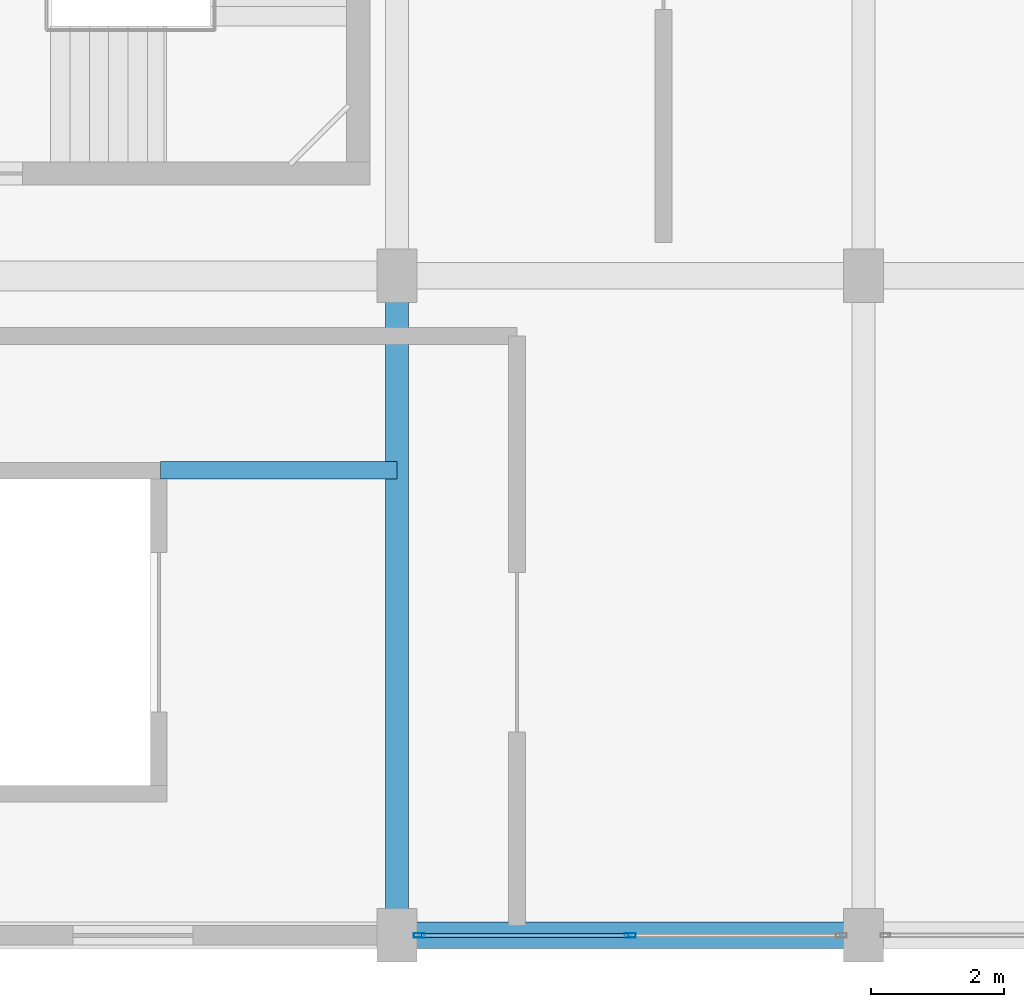
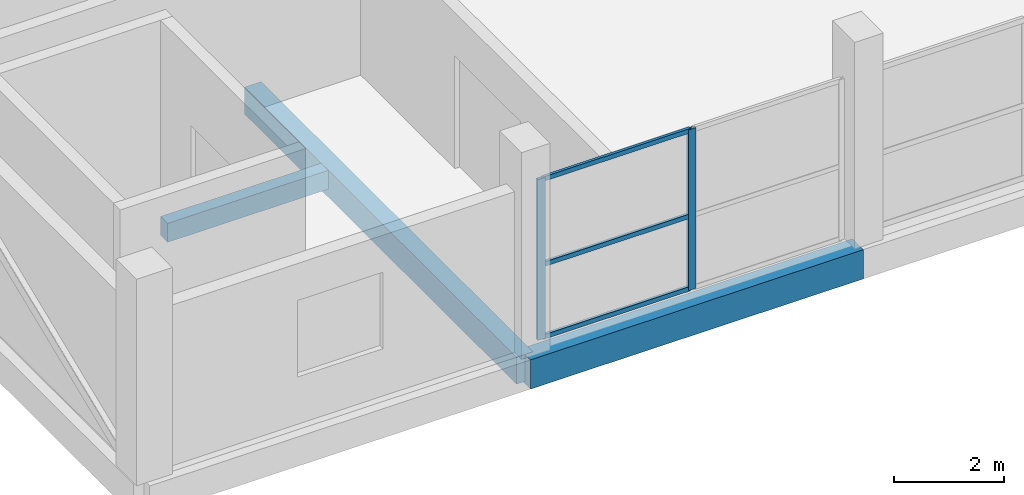
# One storey, part 2 of 49: 5 members, 3 beams, 1 element without a shape of its own.
"""IFC4 building model written with IfcOpenShell, lengths in metres."""

from ifc_helpers import new_model, si_unit, direction, frame, origin, origin_2d, place, context, subcontext, project, spatial, rectangle, hollow_rectangle, extrude, material, layer, layer_set, material_profile, profile_set, type_object, element, aggregate, save


model = new_model("IFC4")

# Units and contexts
model_context = context("Model", 3, precision=1e-05, world=origin(), true_north=direction((0.0, 1.0)))
body_context = subcontext(model_context, "Body", "Model", "MODEL_VIEW")
ifc_project = project(units=[si_unit("LENGTHUNIT", "METRE"), si_unit("AREAUNIT", "SQUARE_METRE"), si_unit("VOLUMEUNIT", "CUBIC_METRE"), si_unit("PLANEANGLEUNIT", "RADIAN"), si_unit("MASSUNIT", "GRAM", prefix="KILO")], contexts=[model_context])

# Site, building, storey
site_placement = place(None, origin())
site = spatial("IfcSite", under=ifc_project, at=site_placement, CompositionType="ELEMENT")
building_placement = place(site_placement, origin())
building = spatial("IfcBuilding", under=site, at=building_placement, Name="Sillaruma Civic Art Gallery", CompositionType="ELEMENT")
storey_placement = place(building_placement, frame((0.0, 0.0, 33.14990234375)))
storey = spatial("IfcBuildingStorey", under=building, at=storey_placement, Name="L06", CompositionType="ELEMENT", Elevation=33.14990234375)

# Beams
ifc_material_1 = material(Name="Concrete H35 (35 MPa)", Category="concrete")
ifc_material_profile_1 = material_profile(ifc_material_1, rectangle(XDim=0.35009765625, YDim=0.60009765625, at=origin_2d()), Name="RCB350x600")
ifc_profile_set_1 = profile_set([ifc_material_profile_1], Name="Concrete H35 (35 MPa)")
beam_type_1 = type_object("IfcBeamType", Name="BM-BEAM-RCB350x600", PredefinedType="BEAM", material=ifc_profile_set_1)
beam_1_placement = place(storey_placement, frame((70.0, 19.800048828125, -0.539794921875), z_axis=(0.0, 1.0, 0.0), x_axis=(-1.0, 0.0, 0.0)))
element("IfcBeam", 1, at=beam_1_placement, inside=storey, type_object=beam_type_1, Name="Beam BM-06 (L05:G:3-4)", PredefinedType="BEAM", context=body_context, shape_type="SweptSolid", body=[
    extrude(rectangle(XDim=0.35009765625, YDim=0.60009765625, at=origin_2d()), origin(), (0.0, 0.0, 1.0), 9.89990234375),
])
ifc_material_profile_2 = material_profile(ifc_material_1, rectangle(XDim=0.260009765625, YDim=0.419921875, at=origin_2d()), Name="RCB260x420")
ifc_profile_set_2 = profile_set([ifc_material_profile_2], Name="Concrete H35 (35 MPa)")
beam_type_2 = type_object("IfcBeamType", Name="BM-LINTEL-RCB260x420", PredefinedType="LINTEL", material=ifc_profile_set_2)
beam_2_placement = place(storey_placement, frame((66.449951171875, 26.780029296875, -0.449951171875), z_axis=(1.0, 0.0, 0.0), x_axis=(0.0, 1.0, 0.0)))
element("IfcBeam", 2, at=beam_2_placement, inside=storey, type_object=beam_type_2, Name="Core Portal Coupling Lintel BL-02 (L05:GL1)", PredefinedType="LINTEL", context=body_context, shape_type="SweptSolid", body=[
    extrude(rectangle(XDim=0.260009765625, YDim=0.419921875, at=origin_2d()), origin(), (0.0, 0.0, 1.0), 3.550048828125),
])
ifc_material_profile_3 = material_profile(ifc_material_1, rectangle(XDim=0.39990234375, YDim=0.64990234375, at=origin_2d()), Name="RCB400x650")
ifc_profile_set_3 = profile_set([ifc_material_profile_3], Name="Concrete H35 (35 MPa)")
beam_type_3 = type_object("IfcBeamType", Name="BM-SPANDREL-RCB400x650", PredefinedType="SPANDREL", material=ifc_profile_set_3)
beam_3_placement = place(storey_placement, frame((70.0, 19.800048828125, -0.56494140625), z_axis=(1.0, 0.0, 0.0), x_axis=(0.0, 1.0, 0.0)))
element("IfcBeam", 3, at=beam_3_placement, inside=storey, type_object=beam_type_3, Name="Beam BS-02 (L05:3:G-H)", PredefinedType="SPANDREL", context=body_context, shape_type="SweptSolid", body=[
    extrude(rectangle(XDim=0.39990234375, YDim=0.64990234375, at=origin_2d()), origin(), (0.0, 0.0, 1.0), 7.0),
])

# Curtain wall, members
ifc_material_2 = material(Name="Thermally Broken Extruded Aluminium 6063-T6", Category="aluminium")
ifc_layer = layer(ifc_material_2, 0.159912109375, Name="Thermally Broken Extruded Aluminium 6063-T6")
ifc_layer_set = layer_set([ifc_layer], Name="Thermally Broken Extruded Aluminium 6063-T6")
curtain_wall_type = type_object("IfcCurtainWallType", Name="CW-UNI-37", PredefinedType="NOTDEFINED", material=ifc_layer_set)
curtain_wall_placement = place(storey_placement, origin())
curtain_wall = element("IfcCurtainWall", 4, at=curtain_wall_placement, inside=storey, type_object=curtain_wall_type, Name="Unitised Curtain Wall CW-37 (CW-L06-S-2)", PredefinedType="NOTDEFINED")
ifc_material_profile_4 = material_profile(ifc_material_2, hollow_rectangle(XDim=0.06494140625, YDim=0.159912109375, WallThickness=0.00390625, at=origin_2d()), Name="CWM65x160")
ifc_profile_set_4 = profile_set([ifc_material_profile_4], Name="Thermally Broken Extruded Aluminium 6063-T6")
member_type_1 = type_object("IfcMemberType", Name="MEM-MUL-CWM65x160", PredefinedType="MULLION", material=ifc_profile_set_4)
member_1_placement = place(storey_placement, frame((70.33251953125, 19.800048828125, 0.0), z_axis=(0.0, 0.0, 1.0), x_axis=(0.0, 1.0, 0.0)))
member_1 = element("IfcMember", 5, at=member_1_placement, type_object=member_type_1, Name="CW-37 mullion 1", PredefinedType="MULLION", context=body_context, shape_type="SweptSolid", body=[
    extrude(hollow_rectangle(XDim=0.06494140625, YDim=0.159912109375, WallThickness=0.00390625, at=origin_2d()), origin(), (0.0, 0.0, 1.0), 3.570068359375),
])
member_2_placement = place(storey_placement, frame((73.5, 19.800048828125, 0.0), z_axis=(0.0, 0.0, 1.0), x_axis=(0.0, 1.0, 0.0)))
member_2 = element("IfcMember", 6, at=member_2_placement, type_object=member_type_1, Name="CW-37 mullion 2", PredefinedType="MULLION", context=body_context, shape_type="SweptSolid", body=[
    extrude(hollow_rectangle(XDim=0.06494140625, YDim=0.159912109375, WallThickness=0.00390625, at=origin_2d()), origin(), (0.0, 0.0, 1.0), 3.570068359375),
])
ifc_material_profile_5 = material_profile(ifc_material_2, hollow_rectangle(XDim=0.06005859375, YDim=0.10009765625, WallThickness=0.003173828125, at=origin_2d()), Name="CWT60x100")
ifc_profile_set_5 = profile_set([ifc_material_profile_5], Name="Thermally Broken Extruded Aluminium 6063-T6")
member_type_2 = type_object("IfcMemberType", Name="MEM-TRN-CWT60x100", PredefinedType="USERDEFINED", material=ifc_profile_set_5)
member_3_placement = place(storey_placement, frame((70.364990234375, 19.800048828125, 0.030029296875), z_axis=(1.0, 0.0, 0.0), x_axis=(0.0, 1.0, 0.0)))
member_3 = element("IfcMember", 7, at=member_3_placement, type_object=member_type_2, Name="CW-37 transom 1.1", ObjectType="TRANSOM", PredefinedType="USERDEFINED", context=body_context, shape_type="SweptSolid", body=[
    extrude(hollow_rectangle(XDim=0.06005859375, YDim=0.10009765625, WallThickness=0.003173828125, at=origin_2d()), origin(), (0.0, 0.0, 1.0), 3.1025390625),
])
member_4_placement = place(storey_placement, frame((70.364990234375, 19.800048828125, 1.642333984375), z_axis=(1.0, 0.0, 0.0), x_axis=(0.0, 1.0, 0.0)))
member_4 = element("IfcMember", 8, at=member_4_placement, type_object=member_type_2, Name="CW-37 transom 1.2", ObjectType="TRANSOM", PredefinedType="USERDEFINED", context=body_context, shape_type="SweptSolid", body=[
    extrude(hollow_rectangle(XDim=0.06005859375, YDim=0.10009765625, WallThickness=0.003173828125, at=origin_2d()), origin(), (0.0, 0.0, 1.0), 3.1025390625),
])
member_5_placement = place(storey_placement, frame((70.364990234375, 19.800048828125, 3.5400390625), z_axis=(1.0, 0.0, 0.0), x_axis=(0.0, 1.0, 0.0)))
member_5 = element("IfcMember", 9, at=member_5_placement, type_object=member_type_2, Name="CW-37 transom 1.3", ObjectType="TRANSOM", PredefinedType="USERDEFINED", context=body_context, shape_type="SweptSolid", body=[
    extrude(hollow_rectangle(XDim=0.06005859375, YDim=0.10009765625, WallThickness=0.003173828125, at=origin_2d()), origin(), (0.0, 0.0, 1.0), 3.1025390625),
])
aggregate(curtain_wall, [member_1, member_2, member_3, member_4, member_5])

save(model, "model.ifc")
